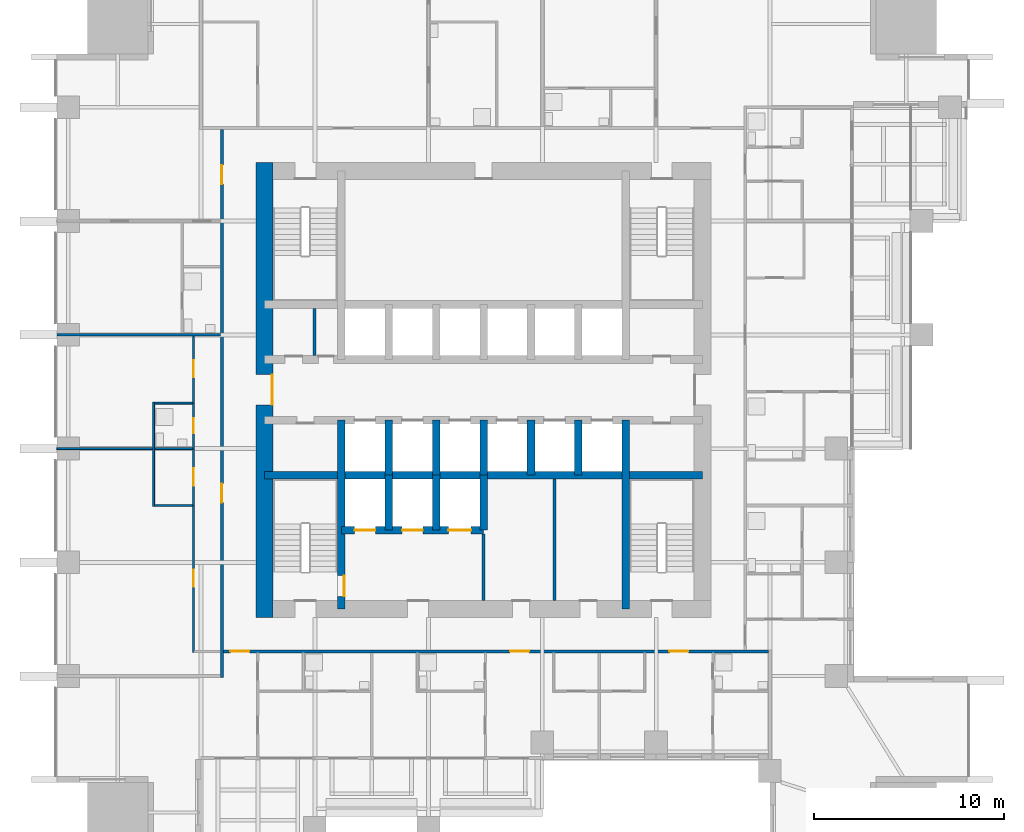
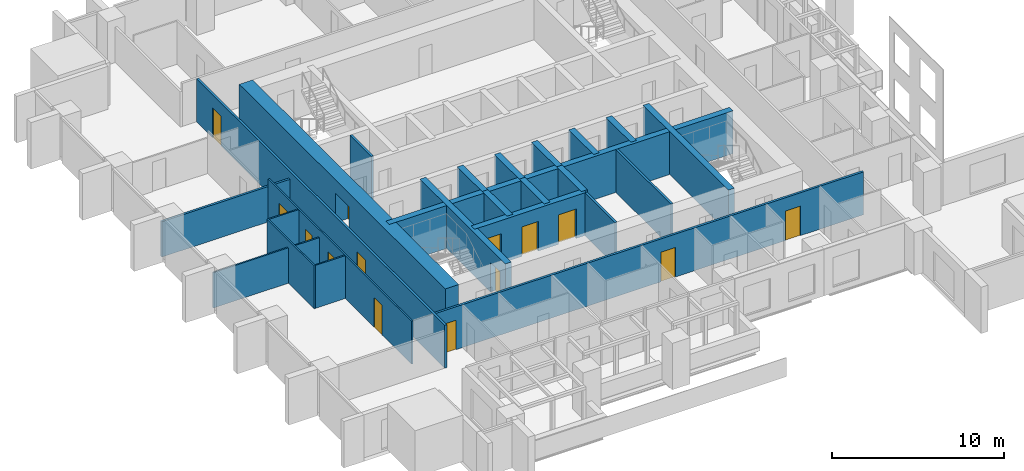
# One storey, part 8 of 15: 24 walls, 14 doors, 14 openings.
"""IFC4 building model written with IfcOpenShell, lengths in metres."""

from ifc_helpers import new_model, si_unit, direction, frame, frame_2d, origin, place, context, subcontext, project, spatial, rectangle, extrude, material, layer, layer_set, type_object, element, fill, save


model = new_model("IFC4")

# Units and contexts
model_context = context("Model", 3, precision=1e-05, world=origin(), true_north=direction((0.0, 1.0)))
body_context = subcontext(model_context, "Body", "Model", "MODEL_VIEW")
ifc_project = project(units=[si_unit("LENGTHUNIT", "METRE"), si_unit("AREAUNIT", "SQUARE_METRE"), si_unit("VOLUMEUNIT", "CUBIC_METRE"), si_unit("PLANEANGLEUNIT", "RADIAN"), si_unit("MASSUNIT", "GRAM", prefix="KILO")], contexts=[model_context])

# Site, building, storey
site_placement = place(None, origin())
site = spatial("IfcSite", under=ifc_project, at=site_placement, CompositionType="ELEMENT")
building_placement = place(site_placement, origin())
building = spatial("IfcBuilding", under=site, at=building_placement, Name="Amberfall Residences", CompositionType="ELEMENT")
storey_placement = place(building_placement, frame((0.0, 0.0, 53.199951171875)))
storey = spatial("IfcBuildingStorey", under=building, at=storey_placement, Name="L14", CompositionType="ELEMENT", Elevation=53.199951171875)

# Wall
ifc_material_1 = material(Name="Concrete C80", Category="concrete")
ifc_layer_1 = layer(ifc_material_1, 0.39990234375)
ifc_layer_set_1 = layer_set([ifc_layer_1], Name="Core wall 400 C80")
wall_type_1 = type_object("IfcWallType", Name="Core wall 400 C80", PredefinedType="SHEAR", material=ifc_layer_set_1)
wall_1_placement = place(storey_placement, frame((62.949951171875, 41.0, 0.0), z_axis=(0.0, 0.0, 1.0), x_axis=(1.0, 0.0, 0.0)))
element("IfcWall", 1, at=wall_1_placement, inside=storey, type_object=wall_type_1, Name="Core wall RW2 L14 H75", PredefinedType="SHEAR", context=body_context, shape_type="SweptSolid", body=[
    extrude(rectangle(XDim=23.10009765625, YDim=0.39990234375, at=frame_2d((11.550048828125, 0.0))), origin(), (0.0, 0.0, 1.0), 3.050048828125),
])

# Wall, opening, door
wall_2_placement = place(storey_placement, frame((67.0, 33.949951171875, 0.0), z_axis=(0.0, 0.0, 1.0), x_axis=(0.0, 1.0, 0.0)))
wall_2 = element("IfcWall", 2, at=wall_2_placement, inside=storey, type_object=wall_type_1, Name="Core wall RW2 L14 V45S", PredefinedType="SHEAR", context=body_context, shape_type="SweptSolid", body=[
    extrude(rectangle(XDim=9.949951171875, YDim=0.39990234375, at=frame_2d((4.97509765625, 0.0))), origin(), (0.0, 0.0, 1.0), 3.050048828125),
])
opening_1_placement = place(wall_2_placement, frame((0.64990234375, 0.0, 0.0)))
opening_1 = element("IfcOpeningElement", 3, at=opening_1_placement, cuts=wall_2, Name="Opening FL1", PredefinedType="OPENING", context=body_context, shape_type="SweptSolid", body=[
    extrude(rectangle(XDim=1.10009765625, YDim=2.10009765625, at=frame_2d((0.550048828125, 1.050048828125))), frame((0.0, 0.2099609375, 0.0), z_axis=(0.0, -1.0, 0.0), x_axis=(1.0, 0.0, 0.0)), (0.0, 0.0, 1.0), 0.419921875),
])
ifc_material_2 = material(Name="Steel fire door set", Category="steel")
door_type_1 = type_object("IfcDoorType", Name="Firefighting lobby door 1100 x 2100", OperationType="SINGLE_SWING_LEFT", PredefinedType="DOOR", material=ifc_material_2)
door_1_placement = place(opening_1_placement, origin())
door_1 = element("IfcDoor", 4, at=door_1_placement, inside=storey, type_object=door_type_1, Name="FL1 L14", OperationType="SINGLE_SWING_RIGHT", OverallHeight=2.10009765625, OverallWidth=1.10009765625, PredefinedType="DOOR", context=body_context, shape_type="SweptSolid", body=[
    extrude(rectangle(XDim=1.10009765625, YDim=2.10009765625, at=frame_2d((0.550048828125, 1.050048828125))), frame((0.0, -0.1376953125, 0.0), z_axis=(0.0, -1.0, 0.0), x_axis=(1.0, 0.0, 0.0)), (0.0, 0.0, 1.0), 0.050048828125),
])
fill(opening_1, door_1)

# Walls
wall_3_placement = place(storey_placement, frame((82.0, 33.949951171875, 0.0), z_axis=(0.0, 0.0, 1.0), x_axis=(0.0, 1.0, 0.0)))
element("IfcWall", 5, at=wall_3_placement, inside=storey, type_object=wall_type_1, Name="Core wall RW2 L14 V195S", PredefinedType="SHEAR", context=body_context, shape_type="SweptSolid", body=[
    extrude(rectangle(XDim=9.949951171875, YDim=0.39990234375, at=frame_2d((4.97509765625, 0.0))), origin(), (0.0, 0.0, 1.0), 3.050048828125),
])
for number, where, z_axis, x_axis, name in (
    (6, (69.5, 41.0, 0.0), (0.0, 0.0, 1.0), (0.0, 1.0, 0.0), "Core wall RW2 L14 LPD1"),
    (7, (72.0, 41.0, 0.0), (0.0, 0.0, 1.0), (0.0, 1.0, 0.0), "Core wall RW2 L14 LPD2"),
    (8, (74.5, 41.0, 0.0), (0.0, 0.0, 1.0), (0.0, 1.0, 0.0), "Core wall RW2 L14 LPD3"),
    (9, (77.0, 41.0, 0.0), (0.0, 0.0, 1.0), (0.0, 1.0, 0.0), "Core wall RW2 L14 LPD4"),
    (10, (79.5, 41.0, 0.0), (0.0, 0.0, 1.0), (0.0, 1.0, 0.0), "Core wall RW2 L14 LPD5"),
):
    element("IfcWall", number, at=place(storey_placement, frame(where, z_axis=z_axis, x_axis=x_axis)), inside=storey, type_object=wall_type_1, Name=name, PredefinedType="SHEAR", context=body_context, shape_type="SweptSolid", body=[
        extrude(rectangle(XDim=2.89990234375, YDim=0.39990234375, at=frame_2d((1.449951171875, 0.0))), origin(), (0.0, 0.0, 1.0), 3.050048828125),
    ])

# Wall, openings, doors
wall_4_placement = place(storey_placement, frame((67.0, 38.10009765625, 0.0), z_axis=(0.0, 0.0, 1.0), x_axis=(1.0, 0.0, 0.0)))
wall_4 = element("IfcWall", 11, at=wall_4_placement, inside=storey, type_object=wall_type_1, Name="Core wall RW2 L14 FFF", PredefinedType="SHEAR", context=body_context, shape_type="SweptSolid", body=[
    extrude(rectangle(XDim=7.5, YDim=0.39990234375, at=frame_2d((3.75, 0.0))), origin(), (0.0, 0.0, 1.0), 3.050048828125),
])
opening_2_placement = place(wall_4_placement, frame((0.699951171875, 0.0, 0.0)))
opening_2 = element("IfcOpeningElement", 12, at=opening_2_placement, cuts=wall_4, Name="Opening LD2", PredefinedType="OPENING", context=body_context, shape_type="SweptSolid", body=[
    extrude(rectangle(XDim=1.10009765625, YDim=2.10009765625, at=frame_2d((0.550048828125, 1.050048828125))), frame((0.0, 0.2099609375, 0.0), z_axis=(0.0, -1.0, 0.0), x_axis=(1.0, 0.0, 0.0)), (0.0, 0.0, 1.0), 0.419921875),
])
opening_3_placement = place(wall_4_placement, frame((3.199951171875, 0.0, 0.0)))
opening_3 = element("IfcOpeningElement", 13, at=opening_3_placement, cuts=wall_4, Name="Opening LD2", PredefinedType="OPENING", context=body_context, shape_type="SweptSolid", body=[
    extrude(rectangle(XDim=1.10009765625, YDim=2.10009765625, at=frame_2d((0.550048828125, 1.050048828125))), frame((0.0, 0.2099609375, 0.0), z_axis=(0.0, -1.0, 0.0), x_axis=(1.0, 0.0, 0.0)), (0.0, 0.0, 1.0), 0.419921875),
])
opening_4_placement = place(wall_4_placement, frame((5.64990234375, 0.0, 0.0)))
opening_4 = element("IfcOpeningElement", 14, at=opening_4_placement, cuts=wall_4, Name="Opening LD3", PredefinedType="OPENING", context=body_context, shape_type="SweptSolid", body=[
    extrude(rectangle(XDim=1.199951171875, YDim=2.10009765625, at=frame_2d((0.60009765625, 1.050048828125))), frame((0.0, 0.2099609375, 0.0), z_axis=(0.0, -1.0, 0.0), x_axis=(1.0, 0.0, 0.0)), (0.0, 0.0, 1.0), 0.419921875),
])
door_type_2 = type_object("IfcDoorType", Name="Firefighting lift landing door 1100 x 2100", OperationType="DOUBLE_DOOR_SLIDING", PredefinedType="DOOR", material=ifc_material_2)
door_2_placement = place(opening_2_placement, origin())
door_2 = element("IfcDoor", 15, at=door_2_placement, inside=storey, type_object=door_type_2, Name="Landing door FF1 L14", OperationType="DOUBLE_DOOR_SLIDING", OverallHeight=2.10009765625, OverallWidth=1.10009765625, PredefinedType="DOOR", context=body_context, shape_type="SweptSolid", body=[
    extrude(rectangle(XDim=1.10009765625, YDim=2.10009765625, at=frame_2d((0.550048828125, 1.050048828125))), frame((0.0, 0.02490234375, 0.0), z_axis=(0.0, -1.0, 0.0), x_axis=(1.0, 0.0, 0.0)), (0.0, 0.0, 1.0), 0.050048828125),
])
fill(opening_2, door_2)
door_3_placement = place(opening_3_placement, origin())
door_3 = element("IfcDoor", 16, at=door_3_placement, inside=storey, type_object=door_type_2, Name="Landing door FF2 L14", OperationType="DOUBLE_DOOR_SLIDING", OverallHeight=2.10009765625, OverallWidth=1.10009765625, PredefinedType="DOOR", context=body_context, shape_type="SweptSolid", body=[
    extrude(rectangle(XDim=1.10009765625, YDim=2.10009765625, at=frame_2d((0.550048828125, 1.050048828125))), frame((0.0, 0.02490234375, 0.0), z_axis=(0.0, -1.0, 0.0), x_axis=(1.0, 0.0, 0.0)), (0.0, 0.0, 1.0), 0.050048828125),
])
fill(opening_3, door_3)
door_type_3 = type_object("IfcDoorType", Name="Service lift landing door 1200 x 2100", OperationType="DOUBLE_DOOR_SLIDING", PredefinedType="DOOR", material=ifc_material_2)
door_4_placement = place(opening_4_placement, origin())
door_4 = element("IfcDoor", 17, at=door_4_placement, inside=storey, type_object=door_type_3, Name="Landing door SL1 L14", OperationType="DOUBLE_DOOR_SLIDING", OverallHeight=2.10009765625, OverallWidth=1.199951171875, PredefinedType="DOOR", context=body_context, shape_type="SweptSolid", body=[
    extrude(rectangle(XDim=1.199951171875, YDim=2.10009765625, at=frame_2d((0.60009765625, 1.050048828125))), frame((0.0, 0.02490234375, 0.0), z_axis=(0.0, -1.0, 0.0), x_axis=(1.0, 0.0, 0.0)), (0.0, 0.0, 1.0), 0.050048828125),
])
fill(opening_4, door_4)

# Walls
for number, where, z_axis, x_axis, name in (
    (18, (69.5, 38.10009765625, 0.0), (0.0, 0.0, 1.0), (0.0, 1.0, 0.0), "Core wall RW2 L14 FFD1"),
    (19, (72.0, 38.10009765625, 0.0), (0.0, 0.0, 1.0), (0.0, 1.0, 0.0), "Core wall RW2 L14 FFD2"),
    (20, (74.5, 38.10009765625, 0.0), (0.0, 0.0, 1.0), (0.0, 1.0, 0.0), "Core wall RW2 L14 FFD3"),
):
    element("IfcWall", number, at=place(storey_placement, frame(where, z_axis=z_axis, x_axis=x_axis)), inside=storey, type_object=wall_type_1, Name=name, PredefinedType="SHEAR", context=body_context, shape_type="SweptSolid", body=[
        extrude(rectangle(XDim=2.89990234375, YDim=0.39990234375, at=frame_2d((1.449951171875, 0.0))), origin(), (0.0, 0.0, 1.0), 3.050048828125),
    ])

# Wall, opening, door
ifc_layer_2 = layer(ifc_material_1, 0.89990234375)
ifc_layer_set_2 = layer_set([ifc_layer_2], Name="Core wall 900 C80")
wall_type_2 = type_object("IfcWallType", Name="Core wall 900 C80", PredefinedType="SHEAR", material=ifc_layer_set_2)
wall_5_placement = place(storey_placement, frame((62.949951171875, 33.5, 0.0), z_axis=(0.0, 0.0, 1.0), x_axis=(0.0, 1.0, 0.0)))
wall_5 = element("IfcWall", 21, at=wall_5_placement, inside=storey, type_object=wall_type_2, Name="Core wall RW1 L14 OW", PredefinedType="SHEAR", context=body_context, shape_type="SweptSolid", body=[
    extrude(rectangle(XDim=24.0, YDim=0.89990234375, at=frame_2d((12.0, 0.0))), origin(), (0.0, 0.0, 1.0), 3.050048828125),
])
opening_5_placement = place(wall_5_placement, frame((11.199951171875, 0.0, 0.0)))
opening_5 = element("IfcOpeningElement", 22, at=opening_5_placement, cuts=wall_5, Name="Opening LB1", PredefinedType="OPENING", context=body_context, shape_type="SweptSolid", body=[
    extrude(rectangle(XDim=1.60009765625, YDim=2.10009765625, at=frame_2d((0.800048828125, 1.050048828125))), frame((0.0, 0.4599609375, 0.0), z_axis=(0.0, -1.0, 0.0), x_axis=(1.0, 0.0, 0.0)), (0.0, 0.0, 1.0), 0.919921875),
])
door_type_4 = type_object("IfcDoorType", Name="Lift lobby double door 1600 x 2100", OperationType="DOUBLE_DOOR_SINGLE_SWING", PredefinedType="DOOR", material=ifc_material_2)
door_5_placement = place(opening_5_placement, origin())
door_5 = element("IfcDoor", 23, at=door_5_placement, inside=storey, type_object=door_type_4, Name="LB1 L14", OperationType="DOUBLE_DOOR_SINGLE_SWING", OverallHeight=2.10009765625, OverallWidth=1.60009765625, PredefinedType="DOOR", context=body_context, shape_type="SweptSolid", body=[
    extrude(rectangle(XDim=1.60009765625, YDim=2.10009765625, at=frame_2d((0.800048828125, 1.050048828125))), frame((0.0, -0.3876953125, 0.0), z_axis=(0.0, -1.0, 0.0), x_axis=(1.0, 0.0, 0.0)), (0.0, 0.0, 1.0), 0.050048828125),
])
fill(opening_5, door_5)

# Wall
ifc_material_3 = material(Name="Gypsum board on metal stud")
ifc_layer_3 = layer(ifc_material_3, 0.10009765625)
ifc_layer_set_3 = layer_set([ifc_layer_3], Name="Flat partition 100")
wall_type_3 = type_object("IfcWallType", Name="Flat partition 100", PredefinedType="PARTITIONING", material=ifc_layer_set_3)
wall_6_placement = place(storey_placement, frame((57.10009765625, 39.35009765625, 0.0), z_axis=(0.0, 0.0, 1.0), x_axis=(0.0, 1.0, 0.0)))
element("IfcWall", 24, at=wall_6_placement, inside=storey, type_object=wall_type_3, Name="Partition 001", PredefinedType="PARTITIONING", context=body_context, shape_type="SweptSolid", body=[
    extrude(rectangle(XDim=5.5, YDim=0.10009765625, at=frame_2d((2.75, 0.0))), origin(), (0.0, 0.0, 1.0), 3.050048828125),
])

# Wall, openings, doors
wall_7_placement = place(storey_placement, frame((59.199951171875, 31.64990234375, 0.0), z_axis=(0.0, 0.0, 1.0), x_axis=(0.0, 1.0, 0.0)))
wall_7 = element("IfcWall", 25, at=wall_7_placement, inside=storey, type_object=wall_type_3, Name="Partition 003", PredefinedType="PARTITIONING", context=body_context, shape_type="SweptSolid", body=[
    extrude(rectangle(XDim=16.675048828125, YDim=0.10009765625, at=frame_2d((8.33740234375, 0.0))), origin(), (0.0, 0.0, 1.0), 3.050048828125),
])
opening_6_placement = place(wall_7_placement, frame((3.449951171875, 0.0, 0.0)))
opening_6 = element("IfcOpeningElement", 26, at=opening_6_placement, cuts=wall_7, Name="Opening D41", PredefinedType="OPENING", context=body_context, shape_type="SweptSolid", body=[
    extrude(rectangle(XDim=0.89990234375, YDim=2.10009765625, at=frame_2d((0.449951171875, 1.050048828125))), frame((0.0, 0.06005859375, 0.0), z_axis=(0.0, -1.0, 0.0), x_axis=(1.0, 0.0, 0.0)), (0.0, 0.0, 1.0), 0.1201171875),
])
opening_7_placement = place(wall_7_placement, frame((8.800048828125, 0.0, 0.0)))
opening_7 = element("IfcOpeningElement", 27, at=opening_7_placement, cuts=wall_7, Name="Opening D41", PredefinedType="OPENING", context=body_context, shape_type="SweptSolid", body=[
    extrude(rectangle(XDim=0.89990234375, YDim=2.10009765625, at=frame_2d((0.449951171875, 1.050048828125))), frame((0.0, 0.06005859375, 0.0), z_axis=(0.0, -1.0, 0.0), x_axis=(1.0, 0.0, 0.0)), (0.0, 0.0, 1.0), 0.1201171875),
])
opening_8_placement = place(wall_7_placement, frame((14.5, 0.0, 0.0)))
opening_8 = element("IfcOpeningElement", 28, at=opening_8_placement, cuts=wall_7, Name="Opening D41", PredefinedType="OPENING", context=body_context, shape_type="SweptSolid", body=[
    extrude(rectangle(XDim=0.89990234375, YDim=2.10009765625, at=frame_2d((0.449951171875, 1.050048828125))), frame((0.0, 0.06005859375, 0.0), z_axis=(0.0, -1.0, 0.0), x_axis=(1.0, 0.0, 0.0)), (0.0, 0.0, 1.0), 0.1201171875),
])
opening_9_placement = place(wall_7_placement, frame((11.550048828125, 0.0, 0.0)))
opening_9 = element("IfcOpeningElement", 29, at=opening_9_placement, cuts=wall_7, Name="Opening D42", PredefinedType="OPENING", context=body_context, shape_type="SweptSolid", body=[
    extrude(rectangle(XDim=0.800048828125, YDim=2.10009765625, at=frame_2d((0.39990234375, 1.050048828125))), frame((0.0, 0.06005859375, 0.0), z_axis=(0.0, -1.0, 0.0), x_axis=(1.0, 0.0, 0.0)), (0.0, 0.0, 1.0), 0.1201171875),
])
ifc_material_4 = material(Name="Timber", Category="wood")
door_type_5 = type_object("IfcDoorType", Name="Bathroom door 800 x 2100", OperationType="SINGLE_SWING_LEFT", PredefinedType="DOOR", material=ifc_material_4)
door_6_placement = place(opening_9_placement, origin())
door_6 = element("IfcDoor", 30, at=door_6_placement, inside=storey, type_object=door_type_5, Name="Door 1409 bath1", OperationType="SINGLE_SWING_LEFT", OverallHeight=2.10009765625, OverallWidth=0.800048828125, PredefinedType="DOOR", context=body_context, shape_type="SweptSolid", body=[
    extrude(rectangle(XDim=0.800048828125, YDim=2.10009765625, at=frame_2d((0.39990234375, 1.050048828125))), frame((0.0, 0.02490234375, 0.0), z_axis=(0.0, -1.0, 0.0), x_axis=(1.0, 0.0, 0.0)), (0.0, 0.0, 1.0), 0.050048828125),
])
fill(opening_9, door_6)
door_type_6 = type_object("IfcDoorType", Name="Internal door 900 x 2100", OperationType="SINGLE_SWING_LEFT", PredefinedType="DOOR", material=ifc_material_4)
door_7_placement = place(opening_6_placement, origin())
door_7 = element("IfcDoor", 31, at=door_7_placement, inside=storey, type_object=door_type_6, Name="Door 1409 living", OperationType="SINGLE_SWING_LEFT", OverallHeight=2.10009765625, OverallWidth=0.89990234375, PredefinedType="DOOR", context=body_context, shape_type="SweptSolid", body=[
    extrude(rectangle(XDim=0.89990234375, YDim=2.10009765625, at=frame_2d((0.449951171875, 1.050048828125))), frame((0.0, 0.02490234375, 0.0), z_axis=(0.0, -1.0, 0.0), x_axis=(1.0, 0.0, 0.0)), (0.0, 0.0, 1.0), 0.050048828125),
])
fill(opening_6, door_7)
door_8_placement = place(opening_7_placement, origin())
door_8 = element("IfcDoor", 32, at=door_8_placement, inside=storey, type_object=door_type_6, Name="Door 1409 kitchen", OperationType="SINGLE_SWING_LEFT", OverallHeight=2.10009765625, OverallWidth=0.89990234375, PredefinedType="DOOR", context=body_context, shape_type="SweptSolid", body=[
    extrude(rectangle(XDim=0.89990234375, YDim=2.10009765625, at=frame_2d((0.449951171875, 1.050048828125))), frame((0.0, 0.02490234375, 0.0), z_axis=(0.0, -1.0, 0.0), x_axis=(1.0, 0.0, 0.0)), (0.0, 0.0, 1.0), 0.050048828125),
])
fill(opening_7, door_8)
door_9_placement = place(opening_8_placement, origin())
door_9 = element("IfcDoor", 33, at=door_9_placement, inside=storey, type_object=door_type_6, Name="Door 1409 bedroom1", OperationType="SINGLE_SWING_LEFT", OverallHeight=2.10009765625, OverallWidth=0.89990234375, PredefinedType="DOOR", context=body_context, shape_type="SweptSolid", body=[
    extrude(rectangle(XDim=0.89990234375, YDim=2.10009765625, at=frame_2d((0.449951171875, 1.050048828125))), frame((0.0, 0.02490234375, 0.0), z_axis=(0.0, -1.0, 0.0), x_axis=(1.0, 0.0, 0.0)), (0.0, 0.0, 1.0), 0.050048828125),
])
fill(opening_8, door_9)

# Walls
wall_8_placement = place(storey_placement, frame((57.14990234375, 44.800048828125, 0.0), z_axis=(0.0, 0.0, 1.0), x_axis=(1.0, 0.0, 0.0)))
element("IfcWall", 34, at=wall_8_placement, inside=storey, type_object=wall_type_3, Name="Partition 030", PredefinedType="PARTITIONING", context=body_context, shape_type="SweptSolid", body=[
    extrude(rectangle(XDim=2.0, YDim=0.10009765625, at=frame_2d((1.0, 0.0))), origin(), (0.0, 0.0, 1.0), 3.050048828125),
])
wall_9_placement = place(storey_placement, frame((52.0, 42.39990234375, 0.0), z_axis=(0.0, 0.0, 1.0), x_axis=(1.0, 0.0, 0.0)))
element("IfcWall", 35, at=wall_9_placement, inside=storey, type_object=wall_type_3, Name="Partition 031", PredefinedType="PARTITIONING", context=body_context, shape_type="SweptSolid", body=[
    extrude(rectangle(XDim=7.14990234375, YDim=0.10009765625, at=frame_2d((3.574951171875, 0.0))), origin(), (0.0, 0.0, 1.0), 2.51611328125),
])
wall_10_placement = place(storey_placement, frame((57.14990234375, 39.39990234375, 0.0), z_axis=(0.0, 0.0, 1.0), x_axis=(1.0, 0.0, 0.0)))
element("IfcWall", 36, at=wall_10_placement, inside=storey, type_object=wall_type_3, Name="Partition 033", PredefinedType="PARTITIONING", context=body_context, shape_type="SweptSolid", body=[
    extrude(rectangle(XDim=2.0, YDim=0.10009765625, at=frame_2d((1.0, 0.0))), origin(), (0.0, 0.0, 1.0), 3.050048828125),
])

# Wall, openings, doors
ifc_material_5 = material(Name="Blockwork, plastered", Category="masonry")
ifc_layer_4 = layer(ifc_material_5, 0.14990234375)
ifc_layer_set_4 = layer_set([ifc_layer_4], Name="Flat separating wall 150")
wall_type_4 = type_object("IfcWallType", Name="Flat separating wall 150", PredefinedType="PARTITIONING", material=ifc_layer_set_4)
wall_11_placement = place(storey_placement, frame((60.699951171875, 30.324951171875, 0.0), z_axis=(0.0, 0.0, 1.0), x_axis=(0.0, 1.0, 0.0)))
wall_11 = element("IfcWall", 37, at=wall_11_placement, inside=storey, type_object=wall_type_4, Name="Separating wall 042", PredefinedType="PARTITIONING", context=body_context, shape_type="SweptSolid", body=[
    extrude(rectangle(XDim=28.900146484375, YDim=0.14990234375, at=frame_2d((14.4501953125, 0.0))), origin(), (0.0, 0.0, 1.0), 3.050048828125),
])
opening_10_placement = place(wall_11_placement, frame((9.22509765625, 0.0, 0.0)))
opening_10 = element("IfcOpeningElement", 38, at=opening_10_placement, cuts=wall_11, Name="Opening D40", PredefinedType="OPENING", context=body_context, shape_type="SweptSolid", body=[
    extrude(rectangle(XDim=1.0, YDim=2.10009765625, at=frame_2d((0.5, 1.050048828125))), frame((0.0, 0.0849609375, 0.0), z_axis=(0.0, -1.0, 0.0), x_axis=(1.0, 0.0, 0.0)), (0.0, 0.0, 1.0), 0.169921875),
])
opening_11_placement = place(wall_11_placement, frame((26.02490234375, 0.0, 0.0)))
opening_11 = element("IfcOpeningElement", 39, at=opening_11_placement, cuts=wall_11, Name="Opening D40", PredefinedType="OPENING", context=body_context, shape_type="SweptSolid", body=[
    extrude(rectangle(XDim=1.0, YDim=2.10009765625, at=frame_2d((0.5, 1.050048828125))), frame((0.0, 0.0849609375, 0.0), z_axis=(0.0, -1.0, 0.0), x_axis=(1.0, 0.0, 0.0)), (0.0, 0.0, 1.0), 0.169921875),
])
ifc_material_6 = material(Name="Timber, fire-rated", Category="wood")
door_type_7 = type_object("IfcDoorType", Name="Flat entrance door FD60 1000 x 2100", OperationType="SINGLE_SWING_LEFT", PredefinedType="DOOR", material=ifc_material_6)
door_10_placement = place(opening_10_placement, origin())
door_10 = element("IfcDoor", 40, at=door_10_placement, inside=storey, type_object=door_type_7, Name="Door 1409 entrance", OperationType="SINGLE_SWING_LEFT", OverallHeight=2.10009765625, OverallWidth=1.0, PredefinedType="DOOR", context=body_context, shape_type="SweptSolid", body=[
    extrude(rectangle(XDim=1.0, YDim=2.10009765625, at=frame_2d((0.5, 1.050048828125))), frame((0.0, 0.02490234375, 0.0), z_axis=(0.0, -1.0, 0.0), x_axis=(1.0, 0.0, 0.0)), (0.0, 0.0, 1.0), 0.050048828125),
])
fill(opening_10, door_10)
door_11_placement = place(opening_11_placement, origin())
door_11 = element("IfcDoor", 41, at=door_11_placement, inside=storey, type_object=door_type_7, Name="Door 1410 entrance", OperationType="SINGLE_SWING_LEFT", OverallHeight=2.10009765625, OverallWidth=1.0, PredefinedType="DOOR", context=body_context, shape_type="SweptSolid", body=[
    extrude(rectangle(XDim=1.0, YDim=2.10009765625, at=frame_2d((0.5, 1.050048828125))), frame((0.0, 0.02490234375, 0.0), z_axis=(0.0, -1.0, 0.0), x_axis=(1.0, 0.0, 0.0)), (0.0, 0.0, 1.0), 0.050048828125),
])
fill(opening_11, door_11)

# Wall
wall_12_placement = place(storey_placement, frame((52.0, 48.39990234375, 0.0), z_axis=(0.0, 0.0, 1.0), x_axis=(1.0, 0.0, 0.0)))
element("IfcWall", 42, at=wall_12_placement, inside=storey, type_object=wall_type_4, Name="Separating wall 051", PredefinedType="PARTITIONING", context=body_context, shape_type="SweptSolid", body=[
    extrude(rectangle(XDim=8.625, YDim=0.14990234375, at=frame_2d((4.3125, 0.0))), origin(), (0.0, 0.0, 1.0), 2.51611328125),
])

# Wall, openings, doors
wall_13_placement = place(storey_placement, frame((89.52490234375, 31.699951171875, 0.0), z_axis=(0.0, 0.0, 1.0), x_axis=(-1.0, 0.0, 0.0)))
wall_13 = element("IfcWall", 43, at=wall_13_placement, inside=storey, type_object=wall_type_4, Name="Separating wall 053", PredefinedType="PARTITIONING", context=body_context, shape_type="SweptSolid", body=[
    extrude(rectangle(XDim=28.75, YDim=0.14990234375, at=frame_2d((14.375, 0.0))), origin(), (0.0, 0.0, 1.0), 3.050048828125),
])
opening_12_placement = place(wall_13_placement, frame((27.375, 0.0, 0.0)))
opening_12 = element("IfcOpeningElement", 44, at=opening_12_placement, cuts=wall_13, Name="Opening D40", PredefinedType="OPENING", context=body_context, shape_type="SweptSolid", body=[
    extrude(rectangle(XDim=1.0, YDim=2.10009765625, at=frame_2d((0.5, 1.050048828125))), frame((0.0, 0.0849609375, 0.0), z_axis=(0.0, -1.0, 0.0), x_axis=(1.0, 0.0, 0.0)), (0.0, 0.0, 1.0), 0.169921875),
])
opening_13_placement = place(wall_13_placement, frame((12.625, 0.0, 0.0)))
opening_13 = element("IfcOpeningElement", 45, at=opening_13_placement, cuts=wall_13, Name="Opening D40", PredefinedType="OPENING", context=body_context, shape_type="SweptSolid", body=[
    extrude(rectangle(XDim=1.0, YDim=2.10009765625, at=frame_2d((0.5, 1.050048828125))), frame((0.0, 0.0849609375, 0.0), z_axis=(0.0, -1.0, 0.0), x_axis=(1.0, 0.0, 0.0)), (0.0, 0.0, 1.0), 0.169921875),
])
opening_14_placement = place(wall_13_placement, frame((4.22509765625, 0.0, 0.0)))
opening_14 = element("IfcOpeningElement", 46, at=opening_14_placement, cuts=wall_13, Name="Opening D40", PredefinedType="OPENING", context=body_context, shape_type="SweptSolid", body=[
    extrude(rectangle(XDim=1.0, YDim=2.10009765625, at=frame_2d((0.5, 1.050048828125))), frame((0.0, 0.0849609375, 0.0), z_axis=(0.0, -1.0, 0.0), x_axis=(1.0, 0.0, 0.0)), (0.0, 0.0, 1.0), 0.169921875),
])
door_12_placement = place(opening_12_placement, origin())
door_12 = element("IfcDoor", 47, at=door_12_placement, inside=storey, type_object=door_type_7, Name="Door 1401 entrance", OperationType="SINGLE_SWING_LEFT", OverallHeight=2.10009765625, OverallWidth=1.0, PredefinedType="DOOR", context=body_context, shape_type="SweptSolid", body=[
    extrude(rectangle(XDim=1.0, YDim=2.10009765625, at=frame_2d((0.5, 1.050048828125))), frame((0.0, 0.02490234375, 0.0), z_axis=(0.0, -1.0, 0.0), x_axis=(1.0, 0.0, 0.0)), (0.0, 0.0, 1.0), 0.050048828125),
])
fill(opening_12, door_12)
door_13_placement = place(opening_13_placement, origin())
door_13 = element("IfcDoor", 48, at=door_13_placement, inside=storey, type_object=door_type_7, Name="Door 1402 entrance", OperationType="SINGLE_SWING_LEFT", OverallHeight=2.10009765625, OverallWidth=1.0, PredefinedType="DOOR", context=body_context, shape_type="SweptSolid", body=[
    extrude(rectangle(XDim=1.0, YDim=2.10009765625, at=frame_2d((0.5, 1.050048828125))), frame((0.0, 0.02490234375, 0.0), z_axis=(0.0, -1.0, 0.0), x_axis=(1.0, 0.0, 0.0)), (0.0, 0.0, 1.0), 0.050048828125),
])
fill(opening_13, door_13)
door_14_placement = place(opening_14_placement, origin())
door_14 = element("IfcDoor", 49, at=door_14_placement, inside=storey, type_object=door_type_7, Name="Door 1403 entrance", OperationType="SINGLE_SWING_LEFT", OverallHeight=2.10009765625, OverallWidth=1.0, PredefinedType="DOOR", context=body_context, shape_type="SweptSolid", body=[
    extrude(rectangle(XDim=1.0, YDim=2.10009765625, at=frame_2d((0.5, 1.050048828125))), frame((0.0, 0.02490234375, 0.0), z_axis=(0.0, -1.0, 0.0), x_axis=(1.0, 0.0, 0.0)), (0.0, 0.0, 1.0), 0.050048828125),
])
fill(opening_14, door_14)

# Walls
ifc_material_7 = material(Name="Concrete blockwork", Category="masonry")
ifc_layer_5 = layer(ifc_material_7, 0.14990234375)
ifc_layer_set_5 = layer_set([ifc_layer_5], Name="Riser wall 150")
wall_type_5 = type_object("IfcWallType", Name="Riser wall 150", PredefinedType="PLUMBINGWALL", material=ifc_layer_set_5)
wall_14_placement = place(storey_placement, frame((74.5, 34.39990234375, 0.0), z_axis=(0.0, 0.0, 1.0), x_axis=(0.0, 1.0, 0.0)))
element("IfcWall", 50, at=wall_14_placement, inside=storey, type_object=wall_type_5, Name="L14 core wall PX", PredefinedType="PLUMBINGWALL", context=body_context, shape_type="SweptSolid", body=[
    extrude(rectangle(XDim=3.5, YDim=0.14990234375, at=frame_2d((1.75, 0.0))), origin(), (0.0, 0.0, 1.0), 3.050048828125),
])
wall_15_placement = place(storey_placement, frame((78.25, 34.39990234375, 0.0), z_axis=(0.0, 0.0, 1.0), x_axis=(0.0, 1.0, 0.0)))
element("IfcWall", 51, at=wall_15_placement, inside=storey, type_object=wall_type_5, Name="L14 core wall E0", PredefinedType="PLUMBINGWALL", context=body_context, shape_type="SweptSolid", body=[
    extrude(rectangle(XDim=6.400146484375, YDim=0.14990234375, at=frame_2d((3.2001953125, 0.0))), origin(), (0.0, 0.0, 1.0), 3.050048828125),
])
wall_16_placement = place(storey_placement, frame((65.575927734375, 47.300048828125, 0.0), z_axis=(0.0, 0.0, 1.0), x_axis=(0.0, 1.0, 0.0)))
element("IfcWall", 52, at=wall_16_placement, inside=storey, type_object=wall_type_5, Name="L14 core wall ANW0", PredefinedType="PLUMBINGWALL", context=body_context, shape_type="SweptSolid", body=[
    extrude(rectangle(XDim=2.5, YDim=0.14990234375, at=frame_2d((1.25, 0.0))), origin(), (0.0, 0.0, 1.0), 3.050048828125),
])

save(model, "model.ifc")
